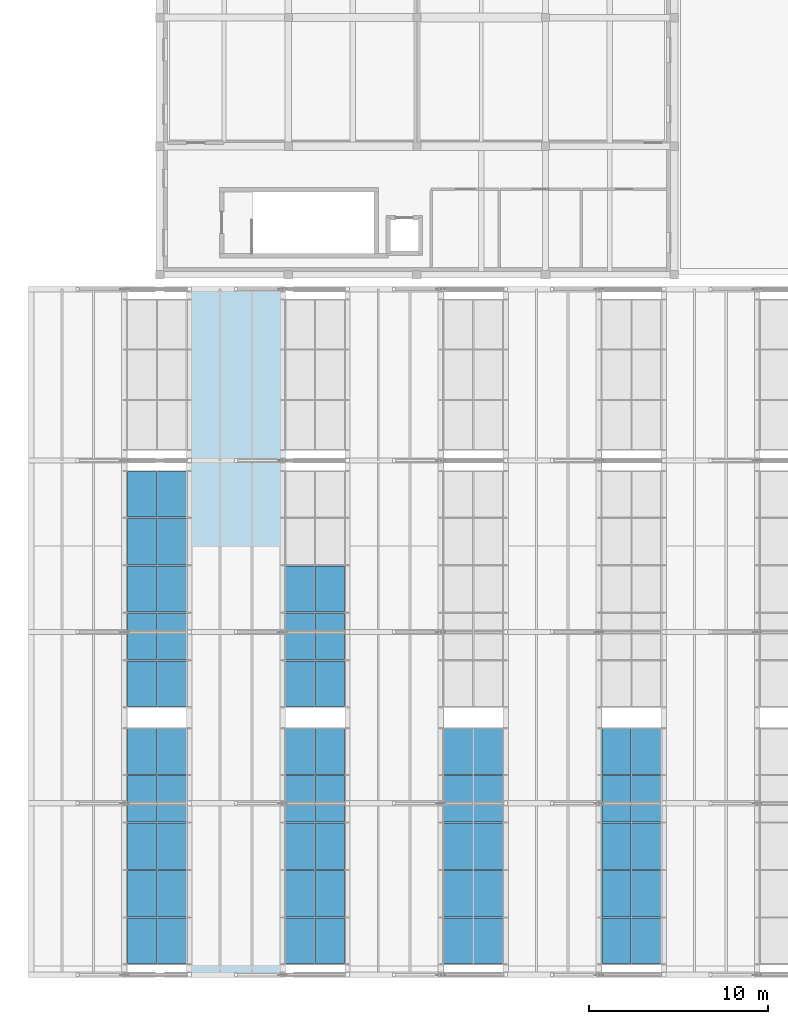
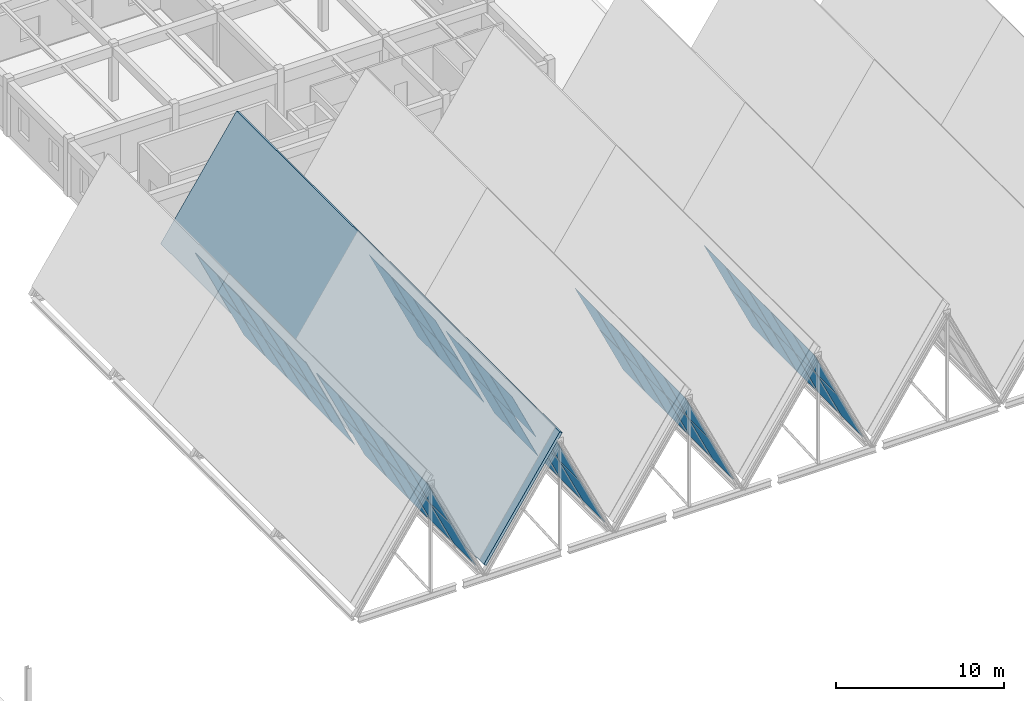
# One storey, part 69 of 99: 56 plates, 1 slab, 6 elements without a shape of their own.
"""IFC4 building model written with IfcOpenShell, lengths in metres."""

from ifc_helpers import new_model, si_unit, direction, frame, origin, place, context, subcontext, project, spatial, polyline, outline, extrude, material, layer, layer_set, type_object, element, aggregate, save


model = new_model("IFC4")

# Units and contexts
model_context = context("Model", 3, precision=1e-05, world=origin(), true_north=direction((0.0, 1.0)))
body_context = subcontext(model_context, "Body", "Model", "MODEL_VIEW")
ifc_project = project(units=[si_unit("LENGTHUNIT", "METRE"), si_unit("AREAUNIT", "SQUARE_METRE"), si_unit("VOLUMEUNIT", "CUBIC_METRE"), si_unit("PLANEANGLEUNIT", "RADIAN"), si_unit("MASSUNIT", "GRAM", prefix="KILO")], contexts=[model_context])

# Site, building, storey
site_placement = place(None, origin())
site = spatial("IfcSite", under=ifc_project, at=site_placement, CompositionType="ELEMENT")
building_placement = place(site_placement, origin())
building = spatial("IfcBuilding", under=site, at=building_placement, Name="Bramveld Media Centre", CompositionType="ELEMENT")
storey_placement = place(building_placement, frame((0.0, 0.0, 13.800048828125)))
storey = spatial("IfcBuildingStorey", under=building, at=storey_placement, Name="L03", CompositionType="ELEMENT", Elevation=13.800048828125)

# Curtain wall, plates
ifc_material_1 = material(Name="Thermally broken anodized bronze aluminium unitized curtain wall with solar-control triple glazing", Category="aluminium")
curtain_wall_type = type_object("IfcCurtainWallType", Name="CW-SAW-13300x8606", PredefinedType="NOTDEFINED", material=ifc_material_1)
curtain_wall_1_placement = place(storey_placement, origin())
curtain_wall_1 = element("IfcCurtainWall", 1, at=curtain_wall_1_placement, inside=storey, type_object=curtain_wall_type, Name="V1 sawtooth north-light clerestory B1-S1", PredefinedType="NOTDEFINED")
ifc_material_2 = material(Name="Solar-control triple insulating safety glass unit", Category="glass")
ifc_layer_1 = layer(ifc_material_2, 0.028076171875)
ifc_layer_set_1 = layer_set([ifc_layer_1], Name="Solar-control triple insulating safety glass unit")
plate_type = type_object("IfcPlateType", Name="CW-PAN-SLP", PredefinedType="CURTAIN_PANEL", material=ifc_layer_set_1)
plate_1_placement = place(storey_placement, frame((132.69677734375, 0.6201171875, 0.322509765625), z_axis=(0.9056675867, 0.0, 0.423988469657), x_axis=(0.0, 1.0, 0.0)))
plate_1 = element("IfcPlate", 2, at=plate_1_placement, type_object=plate_type, Name="CW-SA-13386 glass panel 1.1", PredefinedType="CURTAIN_PANEL", context=body_context, shape_type="SweptSolid", body=[
    extrude(outline(polyline([(0.0, 0.0), (2.554931640625, 0.0), (2.554931640625, 3.8764136412276113), (0.0, 3.8764136412276113), (0.0, 0.0)])), origin(), (0.0, 0.0, -1.0), 0.028076171875),
])
plate_2_placement = place(storey_placement, frame((131.023681640625, 0.6201171875, 3.896728515625), z_axis=(0.9056675867, 0.0, 0.423988469657), x_axis=(0.0, 1.0, 0.0)))
plate_2 = element("IfcPlate", 3, at=plate_2_placement, type_object=plate_type, Name="CW-SA-13386 glass panel 1.2", PredefinedType="CURTAIN_PANEL", context=body_context, shape_type="SweptSolid", body=[
    extrude(outline(polyline([(0.0, 0.0), (2.554931640625, 0.0), (2.554931640625, 3.8764136412276113), (0.0, 3.8764136412276113), (0.0, 0.0)])), origin(), (0.0, 0.0, -1.0), 0.028076171875),
])
plate_3_placement = place(storey_placement, frame((132.69677734375, 3.2451171875, 0.322509765625), z_axis=(0.9056675867, 0.0, 0.423988469657), x_axis=(0.0, 1.0, 0.0)))
plate_3 = element("IfcPlate", 4, at=plate_3_placement, type_object=plate_type, Name="CW-SA-13386 glass panel 2.1", PredefinedType="CURTAIN_PANEL", context=body_context, shape_type="SweptSolid", body=[
    extrude(outline(polyline([(0.0, 0.0), (2.58984375, 0.0), (2.58984375, 3.876413641227611), (0.0, 3.876413641227611), (0.0, 0.0)])), origin(), (0.0, 0.0, -1.0), 0.028076171875),
])
plate_4_placement = place(storey_placement, frame((131.023681640625, 3.2451171875, 3.896728515625), z_axis=(0.9056675867, 0.0, 0.423988469657), x_axis=(0.0, 1.0, 0.0)))
plate_4 = element("IfcPlate", 5, at=plate_4_placement, type_object=plate_type, Name="CW-SA-13386 glass panel 2.2", PredefinedType="CURTAIN_PANEL", context=body_context, shape_type="SweptSolid", body=[
    extrude(outline(polyline([(0.0, 0.0), (2.58984375, 0.0), (2.58984375, 3.876413641227611), (0.0, 3.876413641227611), (0.0, 0.0)])), origin(), (0.0, 0.0, -1.0), 0.028076171875),
])
plate_5_placement = place(storey_placement, frame((132.69677734375, 5.905029296875, 0.322509765625), z_axis=(0.9056675867, 0.0, 0.423988469657), x_axis=(0.0, 1.0, 0.0)))
plate_5 = element("IfcPlate", 6, at=plate_5_placement, type_object=plate_type, Name="CW-SA-13386 glass panel 3.1", PredefinedType="CURTAIN_PANEL", context=body_context, shape_type="SweptSolid", body=[
    extrude(outline(polyline([(0.0, 0.0), (2.590087890625, 0.0), (2.590087890625, 3.876413641227611), (0.0, 3.876413641227611), (0.0, 0.0)])), origin(), (0.0, 0.0, -1.0), 0.028076171875),
])
plate_6_placement = place(storey_placement, frame((131.023681640625, 5.905029296875, 3.896728515625), z_axis=(0.9056675867, 0.0, 0.423988469657), x_axis=(0.0, 1.0, 0.0)))
plate_6 = element("IfcPlate", 7, at=plate_6_placement, type_object=plate_type, Name="CW-SA-13386 glass panel 3.2", PredefinedType="CURTAIN_PANEL", context=body_context, shape_type="SweptSolid", body=[
    extrude(outline(polyline([(0.0, 0.0), (2.590087890625, 0.0), (2.590087890625, 3.876413641227611), (0.0, 3.876413641227611), (0.0, 0.0)])), origin(), (0.0, 0.0, -1.0), 0.028076171875),
])
plate_7_placement = place(storey_placement, frame((132.69677734375, 8.56494140625, 0.322509765625), z_axis=(0.9056675867, 0.0, 0.423988469657), x_axis=(0.0, 1.0, 0.0)))
plate_7 = element("IfcPlate", 8, at=plate_7_placement, type_object=plate_type, Name="CW-SA-13386 glass panel 4.1", PredefinedType="CURTAIN_PANEL", context=body_context, shape_type="SweptSolid", body=[
    extrude(outline(polyline([(0.0, 0.0), (2.590087890625, 0.0), (2.590087890625, 3.876413641227611), (0.0, 3.876413641227611), (0.0, 0.0)])), origin(), (0.0, 0.0, -1.0), 0.028076171875),
])
plate_8_placement = place(storey_placement, frame((131.023681640625, 8.56494140625, 3.896728515625), z_axis=(0.9056675867, 0.0, 0.423988469657), x_axis=(0.0, 1.0, 0.0)))
plate_8 = element("IfcPlate", 9, at=plate_8_placement, type_object=plate_type, Name="CW-SA-13386 glass panel 4.2", PredefinedType="CURTAIN_PANEL", context=body_context, shape_type="SweptSolid", body=[
    extrude(outline(polyline([(0.0, 0.0), (2.590087890625, 0.0), (2.590087890625, 3.876413641227611), (0.0, 3.876413641227611), (0.0, 0.0)])), origin(), (0.0, 0.0, -1.0), 0.028076171875),
])
plate_9_placement = place(storey_placement, frame((132.69677734375, 11.22509765625, 0.322509765625), z_axis=(0.9056675867, 0.0, 0.423988469657), x_axis=(0.0, 1.0, 0.0)))
plate_9 = element("IfcPlate", 10, at=plate_9_placement, type_object=plate_type, Name="CW-SA-13386 glass panel 5.1", PredefinedType="CURTAIN_PANEL", context=body_context, shape_type="SweptSolid", body=[
    extrude(outline(polyline([(0.0, 0.0), (2.554931640625, 0.0), (2.554931640625, 3.8764136412276113), (0.0, 3.8764136412276113), (0.0, 0.0)])), origin(), (0.0, 0.0, -1.0), 0.028076171875),
])
plate_10_placement = place(storey_placement, frame((131.023681640625, 11.22509765625, 3.896728515625), z_axis=(0.9056675867, 0.0, 0.423988469657), x_axis=(0.0, 1.0, 0.0)))
plate_10 = element("IfcPlate", 11, at=plate_10_placement, type_object=plate_type, Name="CW-SA-13386 glass panel 5.2", PredefinedType="CURTAIN_PANEL", context=body_context, shape_type="SweptSolid", body=[
    extrude(outline(polyline([(0.0, 0.0), (2.554931640625, 0.0), (2.554931640625, 3.8764136412276113), (0.0, 3.8764136412276113), (0.0, 0.0)])), origin(), (0.0, 0.0, -1.0), 0.028076171875),
])
aggregate(curtain_wall_1, [plate_1, plate_2, plate_3, plate_4, plate_5, plate_6, plate_7, plate_8, plate_9, plate_10])

curtain_wall_2_placement = place(storey_placement, origin())
curtain_wall_2 = element("IfcCurtainWall", 12, at=curtain_wall_2_placement, inside=storey, type_object=curtain_wall_type, Name="V1 sawtooth north-light clerestory B1-S2", PredefinedType="NOTDEFINED")
plate_11_placement = place(storey_placement, frame((132.69677734375, 15.02001953125, 0.322509765625), z_axis=(0.9056675867, 0.0, 0.423988469657), x_axis=(0.0, 1.0, 0.0)))
plate_11 = element("IfcPlate", 13, at=plate_11_placement, type_object=plate_type, Name="CW-SA-13386 glass panel 1.1", PredefinedType="CURTAIN_PANEL", context=body_context, shape_type="SweptSolid", body=[
    extrude(outline(polyline([(0.0, 0.0), (2.554931640625, 0.0), (2.554931640625, 3.8764136412276113), (0.0, 3.8764136412276113), (0.0, 0.0)])), origin(), (0.0, 0.0, -1.0), 0.028076171875),
])
plate_12_placement = place(storey_placement, frame((131.023681640625, 15.02001953125, 3.896728515625), z_axis=(0.9056675867, 0.0, 0.423988469657), x_axis=(0.0, 1.0, 0.0)))
plate_12 = element("IfcPlate", 14, at=plate_12_placement, type_object=plate_type, Name="CW-SA-13386 glass panel 1.2", PredefinedType="CURTAIN_PANEL", context=body_context, shape_type="SweptSolid", body=[
    extrude(outline(polyline([(0.0, 0.0), (2.554931640625, 0.0), (2.554931640625, 3.8764136412276113), (0.0, 3.8764136412276113), (0.0, 0.0)])), origin(), (0.0, 0.0, -1.0), 0.028076171875),
])
plate_13_placement = place(storey_placement, frame((132.69677734375, 17.64501953125, 0.322509765625), z_axis=(0.9056675867, 0.0, 0.423988469657), x_axis=(0.0, 1.0, 0.0)))
plate_13 = element("IfcPlate", 15, at=plate_13_placement, type_object=plate_type, Name="CW-SA-13386 glass panel 2.1", PredefinedType="CURTAIN_PANEL", context=body_context, shape_type="SweptSolid", body=[
    extrude(outline(polyline([(0.0, 0.0), (2.590087890625, 0.0), (2.590087890625, 3.876413641227611), (0.0, 3.876413641227611), (0.0, 0.0)])), origin(), (0.0, 0.0, -1.0), 0.028076171875),
])
plate_14_placement = place(storey_placement, frame((131.023681640625, 17.64501953125, 3.896728515625), z_axis=(0.9056675867, 0.0, 0.423988469657), x_axis=(0.0, 1.0, 0.0)))
plate_14 = element("IfcPlate", 16, at=plate_14_placement, type_object=plate_type, Name="CW-SA-13386 glass panel 2.2", PredefinedType="CURTAIN_PANEL", context=body_context, shape_type="SweptSolid", body=[
    extrude(outline(polyline([(0.0, 0.0), (2.590087890625, 0.0), (2.590087890625, 3.876413641227611), (0.0, 3.876413641227611), (0.0, 0.0)])), origin(), (0.0, 0.0, -1.0), 0.028076171875),
])
plate_15_placement = place(storey_placement, frame((132.69677734375, 20.304931640625, 0.322509765625), z_axis=(0.9056675867, 0.0, 0.423988469657), x_axis=(0.0, 1.0, 0.0)))
plate_15 = element("IfcPlate", 17, at=plate_15_placement, type_object=plate_type, Name="CW-SA-13386 glass panel 3.1", PredefinedType="CURTAIN_PANEL", context=body_context, shape_type="SweptSolid", body=[
    extrude(outline(polyline([(0.0, 0.0), (2.590087890625, 0.0), (2.590087890625, 3.876413641227611), (0.0, 3.876413641227611), (0.0, 0.0)])), origin(), (0.0, 0.0, -1.0), 0.028076171875),
])
plate_16_placement = place(storey_placement, frame((131.023681640625, 20.304931640625, 3.896728515625), z_axis=(0.9056675867, 0.0, 0.423988469657), x_axis=(0.0, 1.0, 0.0)))
plate_16 = element("IfcPlate", 18, at=plate_16_placement, type_object=plate_type, Name="CW-SA-13386 glass panel 3.2", PredefinedType="CURTAIN_PANEL", context=body_context, shape_type="SweptSolid", body=[
    extrude(outline(polyline([(0.0, 0.0), (2.590087890625, 0.0), (2.590087890625, 3.876413641227611), (0.0, 3.876413641227611), (0.0, 0.0)])), origin(), (0.0, 0.0, -1.0), 0.028076171875),
])
plate_17_placement = place(storey_placement, frame((132.69677734375, 22.965087890625, 0.322509765625), z_axis=(0.9056675867, 0.0, 0.423988469657), x_axis=(0.0, 1.0, 0.0)))
plate_17 = element("IfcPlate", 19, at=plate_17_placement, type_object=plate_type, Name="CW-SA-13386 glass panel 4.1", PredefinedType="CURTAIN_PANEL", context=body_context, shape_type="SweptSolid", body=[
    extrude(outline(polyline([(0.0, 0.0), (2.58984375, 0.0), (2.58984375, 3.876413641227611), (0.0, 3.876413641227611), (0.0, 0.0)])), origin(), (0.0, 0.0, -1.0), 0.028076171875),
])
plate_18_placement = place(storey_placement, frame((131.023681640625, 22.965087890625, 3.896728515625), z_axis=(0.9056675867, 0.0, 0.423988469657), x_axis=(0.0, 1.0, 0.0)))
plate_18 = element("IfcPlate", 20, at=plate_18_placement, type_object=plate_type, Name="CW-SA-13386 glass panel 4.2", PredefinedType="CURTAIN_PANEL", context=body_context, shape_type="SweptSolid", body=[
    extrude(outline(polyline([(0.0, 0.0), (2.58984375, 0.0), (2.58984375, 3.876413641227611), (0.0, 3.876413641227611), (0.0, 0.0)])), origin(), (0.0, 0.0, -1.0), 0.028076171875),
])
plate_19_placement = place(storey_placement, frame((132.69677734375, 25.625, 0.322509765625), z_axis=(0.9056675867, 0.0, 0.423988469657), x_axis=(0.0, 1.0, 0.0)))
plate_19 = element("IfcPlate", 21, at=plate_19_placement, type_object=plate_type, Name="CW-SA-13386 glass panel 5.1", PredefinedType="CURTAIN_PANEL", context=body_context, shape_type="SweptSolid", body=[
    extrude(outline(polyline([(0.0, 0.0), (2.554931640625, 0.0), (2.554931640625, 3.8764136412276113), (0.0, 3.8764136412276113), (0.0, 0.0)])), origin(), (0.0, 0.0, -1.0), 0.028076171875),
])
plate_20_placement = place(storey_placement, frame((131.023681640625, 25.625, 3.896728515625), z_axis=(0.9056675867, 0.0, 0.423988469657), x_axis=(0.0, 1.0, 0.0)))
plate_20 = element("IfcPlate", 22, at=plate_20_placement, type_object=plate_type, Name="CW-SA-13386 glass panel 5.2", PredefinedType="CURTAIN_PANEL", context=body_context, shape_type="SweptSolid", body=[
    extrude(outline(polyline([(0.0, 0.0), (2.554931640625, 0.0), (2.554931640625, 3.8764136412276113), (0.0, 3.8764136412276113), (0.0, 0.0)])), origin(), (0.0, 0.0, -1.0), 0.028076171875),
])
aggregate(curtain_wall_2, [plate_11, plate_12, plate_13, plate_14, plate_15, plate_16, plate_17, plate_18, plate_19, plate_20])

curtain_wall_3_placement = place(storey_placement, origin())
curtain_wall_3 = element("IfcCurtainWall", 23, at=curtain_wall_3_placement, inside=storey, type_object=curtain_wall_type, Name="V1 sawtooth north-light clerestory B2-S1", PredefinedType="NOTDEFINED")
plate_21_placement = place(storey_placement, frame((141.553955078125, 0.6201171875, 0.322509765625), z_axis=(0.9056675867, 0.0, 0.423988469657), x_axis=(0.0, 1.0, 0.0)))
plate_21 = element("IfcPlate", 24, at=plate_21_placement, type_object=plate_type, Name="CW-SA-13386 glass panel 1.1", PredefinedType="CURTAIN_PANEL", context=body_context, shape_type="SweptSolid", body=[
    extrude(outline(polyline([(0.0, 0.0), (2.554931640625, 0.0), (2.554931640625, 3.8764136412276113), (0.0, 3.8764136412276113), (0.0, 0.0)])), origin(), (0.0, 0.0, -1.0), 0.028076171875),
])
plate_22_placement = place(storey_placement, frame((139.880859375, 0.6201171875, 3.896728515625), z_axis=(0.9056675867, 0.0, 0.423988469657), x_axis=(0.0, 1.0, 0.0)))
plate_22 = element("IfcPlate", 25, at=plate_22_placement, type_object=plate_type, Name="CW-SA-13386 glass panel 1.2", PredefinedType="CURTAIN_PANEL", context=body_context, shape_type="SweptSolid", body=[
    extrude(outline(polyline([(0.0, 0.0), (2.554931640625, 0.0), (2.554931640625, 3.8764136412276113), (0.0, 3.8764136412276113), (0.0, 0.0)])), origin(), (0.0, 0.0, -1.0), 0.028076171875),
])
plate_23_placement = place(storey_placement, frame((141.553955078125, 3.2451171875, 0.322509765625), z_axis=(0.9056675867, 0.0, 0.423988469657), x_axis=(0.0, 1.0, 0.0)))
plate_23 = element("IfcPlate", 26, at=plate_23_placement, type_object=plate_type, Name="CW-SA-13386 glass panel 2.1", PredefinedType="CURTAIN_PANEL", context=body_context, shape_type="SweptSolid", body=[
    extrude(outline(polyline([(0.0, 0.0), (2.58984375, 0.0), (2.58984375, 3.876413641227611), (0.0, 3.876413641227611), (0.0, 0.0)])), origin(), (0.0, 0.0, -1.0), 0.028076171875),
])
plate_24_placement = place(storey_placement, frame((139.880859375, 3.2451171875, 3.896728515625), z_axis=(0.9056675867, 0.0, 0.423988469657), x_axis=(0.0, 1.0, 0.0)))
plate_24 = element("IfcPlate", 27, at=plate_24_placement, type_object=plate_type, Name="CW-SA-13386 glass panel 2.2", PredefinedType="CURTAIN_PANEL", context=body_context, shape_type="SweptSolid", body=[
    extrude(outline(polyline([(0.0, 0.0), (2.58984375, 0.0), (2.58984375, 3.876413641227611), (0.0, 3.876413641227611), (0.0, 0.0)])), origin(), (0.0, 0.0, -1.0), 0.028076171875),
])
plate_25_placement = place(storey_placement, frame((141.553955078125, 5.905029296875, 0.322509765625), z_axis=(0.9056675867, 0.0, 0.423988469657), x_axis=(0.0, 1.0, 0.0)))
plate_25 = element("IfcPlate", 28, at=plate_25_placement, type_object=plate_type, Name="CW-SA-13386 glass panel 3.1", PredefinedType="CURTAIN_PANEL", context=body_context, shape_type="SweptSolid", body=[
    extrude(outline(polyline([(0.0, 0.0), (2.590087890625, 0.0), (2.590087890625, 3.876413641227611), (0.0, 3.876413641227611), (0.0, 0.0)])), origin(), (0.0, 0.0, -1.0), 0.028076171875),
])
plate_26_placement = place(storey_placement, frame((139.880859375, 5.905029296875, 3.896728515625), z_axis=(0.9056675867, 0.0, 0.423988469657), x_axis=(0.0, 1.0, 0.0)))
plate_26 = element("IfcPlate", 29, at=plate_26_placement, type_object=plate_type, Name="CW-SA-13386 glass panel 3.2", PredefinedType="CURTAIN_PANEL", context=body_context, shape_type="SweptSolid", body=[
    extrude(outline(polyline([(0.0, 0.0), (2.590087890625, 0.0), (2.590087890625, 3.876413641227611), (0.0, 3.876413641227611), (0.0, 0.0)])), origin(), (0.0, 0.0, -1.0), 0.028076171875),
])
plate_27_placement = place(storey_placement, frame((141.553955078125, 8.56494140625, 0.322509765625), z_axis=(0.9056675867, 0.0, 0.423988469657), x_axis=(0.0, 1.0, 0.0)))
plate_27 = element("IfcPlate", 30, at=plate_27_placement, type_object=plate_type, Name="CW-SA-13386 glass panel 4.1", PredefinedType="CURTAIN_PANEL", context=body_context, shape_type="SweptSolid", body=[
    extrude(outline(polyline([(0.0, 0.0), (2.590087890625, 0.0), (2.590087890625, 3.876413641227611), (0.0, 3.876413641227611), (0.0, 0.0)])), origin(), (0.0, 0.0, -1.0), 0.028076171875),
])
plate_28_placement = place(storey_placement, frame((139.880859375, 8.56494140625, 3.896728515625), z_axis=(0.9056675867, 0.0, 0.423988469657), x_axis=(0.0, 1.0, 0.0)))
plate_28 = element("IfcPlate", 31, at=plate_28_placement, type_object=plate_type, Name="CW-SA-13386 glass panel 4.2", PredefinedType="CURTAIN_PANEL", context=body_context, shape_type="SweptSolid", body=[
    extrude(outline(polyline([(0.0, 0.0), (2.590087890625, 0.0), (2.590087890625, 3.876413641227611), (0.0, 3.876413641227611), (0.0, 0.0)])), origin(), (0.0, 0.0, -1.0), 0.028076171875),
])
plate_29_placement = place(storey_placement, frame((141.553955078125, 11.22509765625, 0.322509765625), z_axis=(0.9056675867, 0.0, 0.423988469657), x_axis=(0.0, 1.0, 0.0)))
plate_29 = element("IfcPlate", 32, at=plate_29_placement, type_object=plate_type, Name="CW-SA-13386 glass panel 5.1", PredefinedType="CURTAIN_PANEL", context=body_context, shape_type="SweptSolid", body=[
    extrude(outline(polyline([(0.0, 0.0), (2.554931640625, 0.0), (2.554931640625, 3.8764136412276113), (0.0, 3.8764136412276113), (0.0, 0.0)])), origin(), (0.0, 0.0, -1.0), 0.028076171875),
])
plate_30_placement = place(storey_placement, frame((139.880859375, 11.22509765625, 3.896728515625), z_axis=(0.9056675867, 0.0, 0.423988469657), x_axis=(0.0, 1.0, 0.0)))
plate_30 = element("IfcPlate", 33, at=plate_30_placement, type_object=plate_type, Name="CW-SA-13386 glass panel 5.2", PredefinedType="CURTAIN_PANEL", context=body_context, shape_type="SweptSolid", body=[
    extrude(outline(polyline([(0.0, 0.0), (2.554931640625, 0.0), (2.554931640625, 3.8764136412276113), (0.0, 3.8764136412276113), (0.0, 0.0)])), origin(), (0.0, 0.0, -1.0), 0.028076171875),
])
aggregate(curtain_wall_3, [plate_21, plate_22, plate_23, plate_24, plate_25, plate_26, plate_27, plate_28, plate_29, plate_30])

curtain_wall_4_placement = place(storey_placement, origin())
curtain_wall_4 = element("IfcCurtainWall", 34, at=curtain_wall_4_placement, inside=storey, type_object=curtain_wall_type, Name="V1 sawtooth north-light clerestory B2-S2", PredefinedType="NOTDEFINED")
plate_31_placement = place(storey_placement, frame((141.553955078125, 15.02001953125, 0.322509765625), z_axis=(0.9056675867, 0.0, 0.423988469657), x_axis=(0.0, 1.0, 0.0)))
plate_31 = element("IfcPlate", 35, at=plate_31_placement, type_object=plate_type, Name="CW-SA-13386 glass panel 1.1", PredefinedType="CURTAIN_PANEL", context=body_context, shape_type="SweptSolid", body=[
    extrude(outline(polyline([(0.0, 0.0), (2.554931640625, 0.0), (2.554931640625, 3.8764136412276113), (0.0, 3.8764136412276113), (0.0, 0.0)])), origin(), (0.0, 0.0, -1.0), 0.028076171875),
])
plate_32_placement = place(storey_placement, frame((139.880859375, 15.02001953125, 3.896728515625), z_axis=(0.9056675867, 0.0, 0.423988469657), x_axis=(0.0, 1.0, 0.0)))
plate_32 = element("IfcPlate", 36, at=plate_32_placement, type_object=plate_type, Name="CW-SA-13386 glass panel 1.2", PredefinedType="CURTAIN_PANEL", context=body_context, shape_type="SweptSolid", body=[
    extrude(outline(polyline([(0.0, 0.0), (2.554931640625, 0.0), (2.554931640625, 3.8764136412276113), (0.0, 3.8764136412276113), (0.0, 0.0)])), origin(), (0.0, 0.0, -1.0), 0.028076171875),
])
plate_33_placement = place(storey_placement, frame((141.553955078125, 17.64501953125, 0.322509765625), z_axis=(0.9056675867, 0.0, 0.423988469657), x_axis=(0.0, 1.0, 0.0)))
plate_33 = element("IfcPlate", 37, at=plate_33_placement, type_object=plate_type, Name="CW-SA-13386 glass panel 2.1", PredefinedType="CURTAIN_PANEL", context=body_context, shape_type="SweptSolid", body=[
    extrude(outline(polyline([(0.0, 0.0), (2.590087890625, 0.0), (2.590087890625, 3.876413641227611), (0.0, 3.876413641227611), (0.0, 0.0)])), origin(), (0.0, 0.0, -1.0), 0.028076171875),
])
plate_34_placement = place(storey_placement, frame((139.880859375, 17.64501953125, 3.896728515625), z_axis=(0.9056675867, 0.0, 0.423988469657), x_axis=(0.0, 1.0, 0.0)))
plate_34 = element("IfcPlate", 38, at=plate_34_placement, type_object=plate_type, Name="CW-SA-13386 glass panel 2.2", PredefinedType="CURTAIN_PANEL", context=body_context, shape_type="SweptSolid", body=[
    extrude(outline(polyline([(0.0, 0.0), (2.590087890625, 0.0), (2.590087890625, 3.876413641227611), (0.0, 3.876413641227611), (0.0, 0.0)])), origin(), (0.0, 0.0, -1.0), 0.028076171875),
])
plate_35_placement = place(storey_placement, frame((141.553955078125, 20.304931640625, 0.322509765625), z_axis=(0.9056675867, 0.0, 0.423988469657), x_axis=(0.0, 1.0, 0.0)))
plate_35 = element("IfcPlate", 39, at=plate_35_placement, type_object=plate_type, Name="CW-SA-13386 glass panel 3.1", PredefinedType="CURTAIN_PANEL", context=body_context, shape_type="SweptSolid", body=[
    extrude(outline(polyline([(0.0, 0.0), (2.590087890625, 0.0), (2.590087890625, 3.876413641227611), (0.0, 3.876413641227611), (0.0, 0.0)])), origin(), (0.0, 0.0, -1.0), 0.028076171875),
])
plate_36_placement = place(storey_placement, frame((139.880859375, 20.304931640625, 3.896728515625), z_axis=(0.9056675867, 0.0, 0.423988469657), x_axis=(0.0, 1.0, 0.0)))
plate_36 = element("IfcPlate", 40, at=plate_36_placement, type_object=plate_type, Name="CW-SA-13386 glass panel 3.2", PredefinedType="CURTAIN_PANEL", context=body_context, shape_type="SweptSolid", body=[
    extrude(outline(polyline([(0.0, 0.0), (2.590087890625, 0.0), (2.590087890625, 3.876413641227611), (0.0, 3.876413641227611), (0.0, 0.0)])), origin(), (0.0, 0.0, -1.0), 0.028076171875),
])
aggregate(curtain_wall_4, [plate_31, plate_32, plate_33, plate_34, plate_35, plate_36])

curtain_wall_5_placement = place(storey_placement, origin())
curtain_wall_5 = element("IfcCurtainWall", 41, at=curtain_wall_5_placement, inside=storey, type_object=curtain_wall_type, Name="V1 sawtooth north-light clerestory B3-S1", PredefinedType="NOTDEFINED")
plate_37_placement = place(storey_placement, frame((150.4111328125, 0.6201171875, 0.322509765625), z_axis=(0.9056675867, 0.0, 0.423988469657), x_axis=(0.0, 1.0, 0.0)))
plate_37 = element("IfcPlate", 42, at=plate_37_placement, type_object=plate_type, Name="CW-SA-13386 glass panel 1.1", PredefinedType="CURTAIN_PANEL", context=body_context, shape_type="SweptSolid", body=[
    extrude(outline(polyline([(0.0, 0.0), (2.554931640625, 0.0), (2.554931640625, 3.8764136412276113), (0.0, 3.8764136412276113), (0.0, 0.0)])), origin(), (0.0, 0.0, -1.0), 0.028076171875),
])
plate_38_placement = place(storey_placement, frame((148.738037109375, 0.6201171875, 3.896728515625), z_axis=(0.9056675867, 0.0, 0.423988469657), x_axis=(0.0, 1.0, 0.0)))
plate_38 = element("IfcPlate", 43, at=plate_38_placement, type_object=plate_type, Name="CW-SA-13386 glass panel 1.2", PredefinedType="CURTAIN_PANEL", context=body_context, shape_type="SweptSolid", body=[
    extrude(outline(polyline([(0.0, 0.0), (2.554931640625, 0.0), (2.554931640625, 3.8764136412276113), (0.0, 3.8764136412276113), (0.0, 0.0)])), origin(), (0.0, 0.0, -1.0), 0.028076171875),
])
plate_39_placement = place(storey_placement, frame((150.4111328125, 3.2451171875, 0.322509765625), z_axis=(0.9056675867, 0.0, 0.423988469657), x_axis=(0.0, 1.0, 0.0)))
plate_39 = element("IfcPlate", 44, at=plate_39_placement, type_object=plate_type, Name="CW-SA-13386 glass panel 2.1", PredefinedType="CURTAIN_PANEL", context=body_context, shape_type="SweptSolid", body=[
    extrude(outline(polyline([(0.0, 0.0), (2.58984375, 0.0), (2.58984375, 3.876413641227611), (0.0, 3.876413641227611), (0.0, 0.0)])), origin(), (0.0, 0.0, -1.0), 0.028076171875),
])
plate_40_placement = place(storey_placement, frame((148.738037109375, 3.2451171875, 3.896728515625), z_axis=(0.9056675867, 0.0, 0.423988469657), x_axis=(0.0, 1.0, 0.0)))
plate_40 = element("IfcPlate", 45, at=plate_40_placement, type_object=plate_type, Name="CW-SA-13386 glass panel 2.2", PredefinedType="CURTAIN_PANEL", context=body_context, shape_type="SweptSolid", body=[
    extrude(outline(polyline([(0.0, 0.0), (2.58984375, 0.0), (2.58984375, 3.876413641227611), (0.0, 3.876413641227611), (0.0, 0.0)])), origin(), (0.0, 0.0, -1.0), 0.028076171875),
])
plate_41_placement = place(storey_placement, frame((150.4111328125, 5.905029296875, 0.322509765625), z_axis=(0.9056675867, 0.0, 0.423988469657), x_axis=(0.0, 1.0, 0.0)))
plate_41 = element("IfcPlate", 46, at=plate_41_placement, type_object=plate_type, Name="CW-SA-13386 glass panel 3.1", PredefinedType="CURTAIN_PANEL", context=body_context, shape_type="SweptSolid", body=[
    extrude(outline(polyline([(0.0, 0.0), (2.590087890625, 0.0), (2.590087890625, 3.876413641227611), (0.0, 3.876413641227611), (0.0, 0.0)])), origin(), (0.0, 0.0, -1.0), 0.028076171875),
])
plate_42_placement = place(storey_placement, frame((148.738037109375, 5.905029296875, 3.896728515625), z_axis=(0.9056675867, 0.0, 0.423988469657), x_axis=(0.0, 1.0, 0.0)))
plate_42 = element("IfcPlate", 47, at=plate_42_placement, type_object=plate_type, Name="CW-SA-13386 glass panel 3.2", PredefinedType="CURTAIN_PANEL", context=body_context, shape_type="SweptSolid", body=[
    extrude(outline(polyline([(0.0, 0.0), (2.590087890625, 0.0), (2.590087890625, 3.876413641227611), (0.0, 3.876413641227611), (0.0, 0.0)])), origin(), (0.0, 0.0, -1.0), 0.028076171875),
])
plate_43_placement = place(storey_placement, frame((150.4111328125, 8.56494140625, 0.322509765625), z_axis=(0.9056675867, 0.0, 0.423988469657), x_axis=(0.0, 1.0, 0.0)))
plate_43 = element("IfcPlate", 48, at=plate_43_placement, type_object=plate_type, Name="CW-SA-13386 glass panel 4.1", PredefinedType="CURTAIN_PANEL", context=body_context, shape_type="SweptSolid", body=[
    extrude(outline(polyline([(0.0, 0.0), (2.590087890625, 0.0), (2.590087890625, 3.876413641227611), (0.0, 3.876413641227611), (0.0, 0.0)])), origin(), (0.0, 0.0, -1.0), 0.028076171875),
])
plate_44_placement = place(storey_placement, frame((148.738037109375, 8.56494140625, 3.896728515625), z_axis=(0.9056675867, 0.0, 0.423988469657), x_axis=(0.0, 1.0, 0.0)))
plate_44 = element("IfcPlate", 49, at=plate_44_placement, type_object=plate_type, Name="CW-SA-13386 glass panel 4.2", PredefinedType="CURTAIN_PANEL", context=body_context, shape_type="SweptSolid", body=[
    extrude(outline(polyline([(0.0, 0.0), (2.590087890625, 0.0), (2.590087890625, 3.876413641227611), (0.0, 3.876413641227611), (0.0, 0.0)])), origin(), (0.0, 0.0, -1.0), 0.028076171875),
])
plate_45_placement = place(storey_placement, frame((150.4111328125, 11.22509765625, 0.322509765625), z_axis=(0.9056675867, 0.0, 0.423988469657), x_axis=(0.0, 1.0, 0.0)))
plate_45 = element("IfcPlate", 50, at=plate_45_placement, type_object=plate_type, Name="CW-SA-13386 glass panel 5.1", PredefinedType="CURTAIN_PANEL", context=body_context, shape_type="SweptSolid", body=[
    extrude(outline(polyline([(0.0, 0.0), (2.554931640625, 0.0), (2.554931640625, 3.8764136412276113), (0.0, 3.8764136412276113), (0.0, 0.0)])), origin(), (0.0, 0.0, -1.0), 0.028076171875),
])
plate_46_placement = place(storey_placement, frame((148.738037109375, 11.22509765625, 3.896728515625), z_axis=(0.9056675867, 0.0, 0.423988469657), x_axis=(0.0, 1.0, 0.0)))
plate_46 = element("IfcPlate", 51, at=plate_46_placement, type_object=plate_type, Name="CW-SA-13386 glass panel 5.2", PredefinedType="CURTAIN_PANEL", context=body_context, shape_type="SweptSolid", body=[
    extrude(outline(polyline([(0.0, 0.0), (2.554931640625, 0.0), (2.554931640625, 3.8764136412276113), (0.0, 3.8764136412276113), (0.0, 0.0)])), origin(), (0.0, 0.0, -1.0), 0.028076171875),
])
aggregate(curtain_wall_5, [plate_37, plate_38, plate_39, plate_40, plate_41, plate_42, plate_43, plate_44, plate_45, plate_46])

curtain_wall_6_placement = place(storey_placement, origin())
curtain_wall_6 = element("IfcCurtainWall", 52, at=curtain_wall_6_placement, inside=storey, type_object=curtain_wall_type, Name="V1 sawtooth north-light clerestory B4-S1", PredefinedType="NOTDEFINED")
plate_47_placement = place(storey_placement, frame((159.268310546875, 0.6201171875, 0.322509765625), z_axis=(0.9056675867, 0.0, 0.423988469657), x_axis=(0.0, 1.0, 0.0)))
plate_47 = element("IfcPlate", 53, at=plate_47_placement, type_object=plate_type, Name="CW-SA-13386 glass panel 1.1", PredefinedType="CURTAIN_PANEL", context=body_context, shape_type="SweptSolid", body=[
    extrude(outline(polyline([(0.0, 0.0), (2.554931640625, 0.0), (2.554931640625, 3.8764136412276113), (0.0, 3.8764136412276113), (0.0, 0.0)])), origin(), (0.0, 0.0, -1.0), 0.028076171875),
])
plate_48_placement = place(storey_placement, frame((157.59521484375, 0.6201171875, 3.896728515625), z_axis=(0.9056675867, 0.0, 0.423988469657), x_axis=(0.0, 1.0, 0.0)))
plate_48 = element("IfcPlate", 54, at=plate_48_placement, type_object=plate_type, Name="CW-SA-13386 glass panel 1.2", PredefinedType="CURTAIN_PANEL", context=body_context, shape_type="SweptSolid", body=[
    extrude(outline(polyline([(0.0, 0.0), (2.554931640625, 0.0), (2.554931640625, 3.8764136412276113), (0.0, 3.8764136412276113), (0.0, 0.0)])), origin(), (0.0, 0.0, -1.0), 0.028076171875),
])
plate_49_placement = place(storey_placement, frame((159.268310546875, 3.2451171875, 0.322509765625), z_axis=(0.9056675867, 0.0, 0.423988469657), x_axis=(0.0, 1.0, 0.0)))
plate_49 = element("IfcPlate", 55, at=plate_49_placement, type_object=plate_type, Name="CW-SA-13386 glass panel 2.1", PredefinedType="CURTAIN_PANEL", context=body_context, shape_type="SweptSolid", body=[
    extrude(outline(polyline([(0.0, 0.0), (2.58984375, 0.0), (2.58984375, 3.876413641227611), (0.0, 3.876413641227611), (0.0, 0.0)])), origin(), (0.0, 0.0, -1.0), 0.028076171875),
])
plate_50_placement = place(storey_placement, frame((157.59521484375, 3.2451171875, 3.896728515625), z_axis=(0.9056675867, 0.0, 0.423988469657), x_axis=(0.0, 1.0, 0.0)))
plate_50 = element("IfcPlate", 56, at=plate_50_placement, type_object=plate_type, Name="CW-SA-13386 glass panel 2.2", PredefinedType="CURTAIN_PANEL", context=body_context, shape_type="SweptSolid", body=[
    extrude(outline(polyline([(0.0, 0.0), (2.58984375, 0.0), (2.58984375, 3.876413641227611), (0.0, 3.876413641227611), (0.0, 0.0)])), origin(), (0.0, 0.0, -1.0), 0.028076171875),
])
plate_51_placement = place(storey_placement, frame((159.268310546875, 5.905029296875, 0.322509765625), z_axis=(0.9056675867, 0.0, 0.423988469657), x_axis=(0.0, 1.0, 0.0)))
plate_51 = element("IfcPlate", 57, at=plate_51_placement, type_object=plate_type, Name="CW-SA-13386 glass panel 3.1", PredefinedType="CURTAIN_PANEL", context=body_context, shape_type="SweptSolid", body=[
    extrude(outline(polyline([(0.0, 0.0), (2.590087890625, 0.0), (2.590087890625, 3.876413641227611), (0.0, 3.876413641227611), (0.0, 0.0)])), origin(), (0.0, 0.0, -1.0), 0.028076171875),
])
plate_52_placement = place(storey_placement, frame((157.59521484375, 5.905029296875, 3.896728515625), z_axis=(0.9056675867, 0.0, 0.423988469657), x_axis=(0.0, 1.0, 0.0)))
plate_52 = element("IfcPlate", 58, at=plate_52_placement, type_object=plate_type, Name="CW-SA-13386 glass panel 3.2", PredefinedType="CURTAIN_PANEL", context=body_context, shape_type="SweptSolid", body=[
    extrude(outline(polyline([(0.0, 0.0), (2.590087890625, 0.0), (2.590087890625, 3.876413641227611), (0.0, 3.876413641227611), (0.0, 0.0)])), origin(), (0.0, 0.0, -1.0), 0.028076171875),
])
plate_53_placement = place(storey_placement, frame((159.268310546875, 8.56494140625, 0.322509765625), z_axis=(0.9056675867, 0.0, 0.423988469657), x_axis=(0.0, 1.0, 0.0)))
plate_53 = element("IfcPlate", 59, at=plate_53_placement, type_object=plate_type, Name="CW-SA-13386 glass panel 4.1", PredefinedType="CURTAIN_PANEL", context=body_context, shape_type="SweptSolid", body=[
    extrude(outline(polyline([(0.0, 0.0), (2.590087890625, 0.0), (2.590087890625, 3.876413641227611), (0.0, 3.876413641227611), (0.0, 0.0)])), origin(), (0.0, 0.0, -1.0), 0.028076171875),
])
plate_54_placement = place(storey_placement, frame((157.59521484375, 8.56494140625, 3.896728515625), z_axis=(0.9056675867, 0.0, 0.423988469657), x_axis=(0.0, 1.0, 0.0)))
plate_54 = element("IfcPlate", 60, at=plate_54_placement, type_object=plate_type, Name="CW-SA-13386 glass panel 4.2", PredefinedType="CURTAIN_PANEL", context=body_context, shape_type="SweptSolid", body=[
    extrude(outline(polyline([(0.0, 0.0), (2.590087890625, 0.0), (2.590087890625, 3.876413641227611), (0.0, 3.876413641227611), (0.0, 0.0)])), origin(), (0.0, 0.0, -1.0), 0.028076171875),
])
plate_55_placement = place(storey_placement, frame((159.268310546875, 11.22509765625, 0.322509765625), z_axis=(0.9056675867, 0.0, 0.423988469657), x_axis=(0.0, 1.0, 0.0)))
plate_55 = element("IfcPlate", 61, at=plate_55_placement, type_object=plate_type, Name="CW-SA-13386 glass panel 5.1", PredefinedType="CURTAIN_PANEL", context=body_context, shape_type="SweptSolid", body=[
    extrude(outline(polyline([(0.0, 0.0), (2.554931640625, 0.0), (2.554931640625, 3.8764136412276113), (0.0, 3.8764136412276113), (0.0, 0.0)])), origin(), (0.0, 0.0, -1.0), 0.028076171875),
])
plate_56_placement = place(storey_placement, frame((157.59521484375, 11.22509765625, 3.896728515625), z_axis=(0.9056675867, 0.0, 0.423988469657), x_axis=(0.0, 1.0, 0.0)))
plate_56 = element("IfcPlate", 62, at=plate_56_placement, type_object=plate_type, Name="CW-SA-13386 glass panel 5.2", PredefinedType="CURTAIN_PANEL", context=body_context, shape_type="SweptSolid", body=[
    extrude(outline(polyline([(0.0, 0.0), (2.554931640625, 0.0), (2.554931640625, 3.8764136412276113), (0.0, 3.8764136412276113), (0.0, 0.0)])), origin(), (0.0, 0.0, -1.0), 0.028076171875),
])
aggregate(curtain_wall_6, [plate_47, plate_48, plate_49, plate_50, plate_51, plate_52, plate_53, plate_54, plate_55, plate_56])

# Slab
ifc_material_3 = material(Name="Precast concrete C40/50", Category="concrete")
ifc_layer_2 = layer(ifc_material_3, 0.2099609375)
ifc_layer_set_2 = layer_set([ifc_layer_2], Name="Precast concrete C40/50")
slab_type = type_object("IfcSlabType", Name="ROOF-SLAB-210-01", PredefinedType="ROOF", material=ifc_layer_set_2)
slab_placement = place(storey_placement, frame((132.857177734375, 0.0, 0.6796875), z_axis=(-0.8310805524, 0.0, 0.55615206142), x_axis=(0.55615206142, 0.0, 0.8310805524)))
element("IfcSlab", 63, at=slab_placement, inside=storey, type_object=slab_type, Name="V1 sawtooth acoustic roof slab bay 2", PredefinedType="ROOF", context=body_context, shape_type="SweptSolid", body=[
    extrude(outline(polyline([(0.0, 0.0), (9.385430576611935, 0.0), (9.385430576611935, 38.39990234375), (0.0, 38.39990234375), (0.0, 0.0)])), origin(), (0.0, 0.0, -1.0), 0.2099609375),
])

save(model, "model.ifc")
